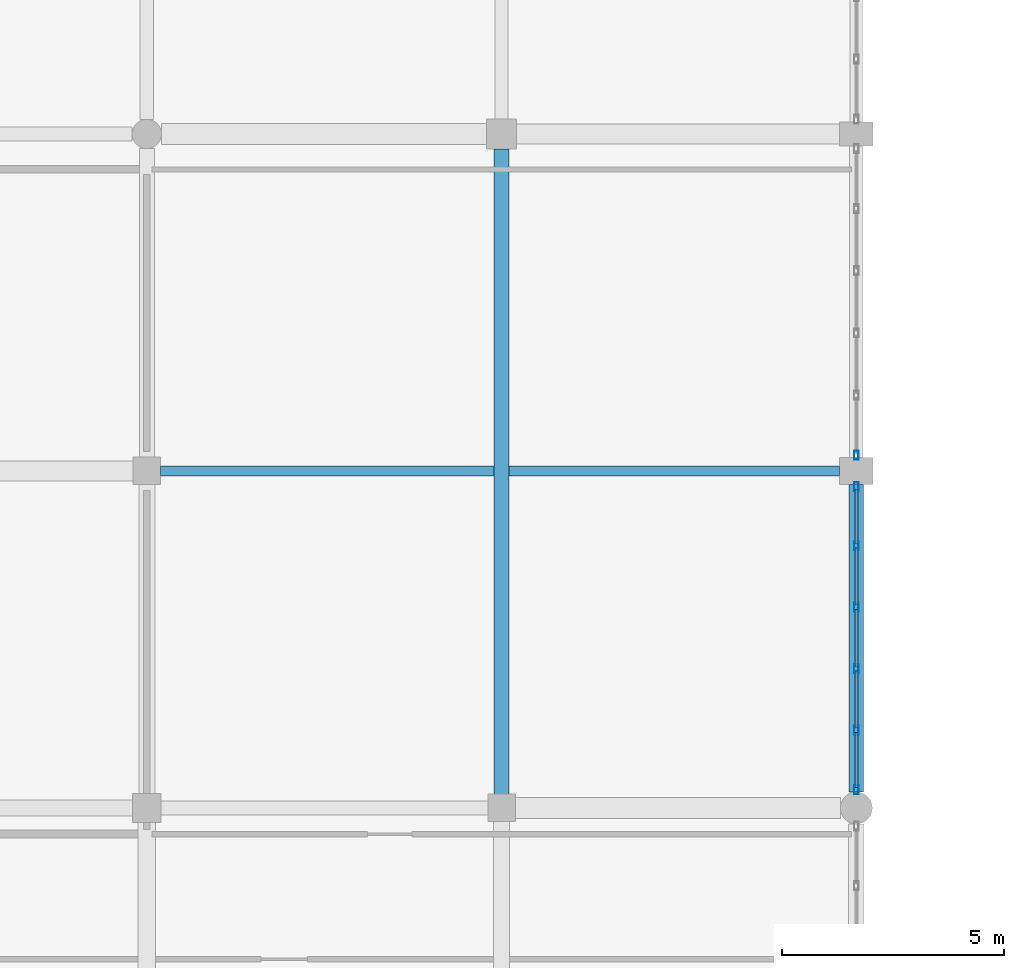
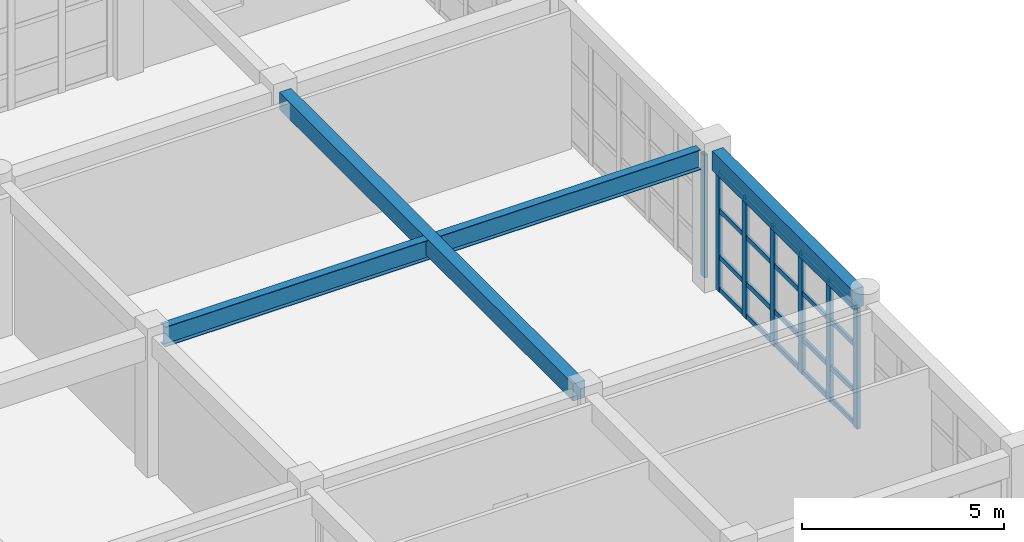
# One storey, part 87 of 160: 27 members, 3 beams, 2 elements without a shape of their own.
"""IFC4 building model written with IfcOpenShell, lengths in metres."""

from ifc_helpers import new_model, si_unit, direction, frame, origin, origin_2d, place, context, subcontext, project, spatial, rectangle, hollow_rectangle, i_section, extrude, material, material_profile, profile_set, type_object, element, aggregate, save


model = new_model("IFC4")

# Units and contexts
model_context = context("Model", 3, precision=1e-05, world=origin(), true_north=direction((0.0, 1.0)))
body_context = subcontext(model_context, "Body", "Model", "MODEL_VIEW")
ifc_project = project(units=[si_unit("LENGTHUNIT", "METRE"), si_unit("AREAUNIT", "SQUARE_METRE"), si_unit("VOLUMEUNIT", "CUBIC_METRE"), si_unit("PLANEANGLEUNIT", "RADIAN"), si_unit("MASSUNIT", "GRAM", prefix="KILO")], contexts=[model_context])

# Site, building, storey
site_placement = place(None, origin())
site = spatial("IfcSite", under=ifc_project, at=site_placement, CompositionType="ELEMENT")
building_placement = place(site_placement, origin())
building = spatial("IfcBuilding", under=site, at=building_placement, Name="Kharva Crest Polytechnic", CompositionType="ELEMENT")
storey_placement = place(building_placement, frame((0.0, 0.0, 4.5)))
storey = spatial("IfcBuildingStorey", under=building, at=storey_placement, Name="L01", CompositionType="ELEMENT", Elevation=4.5)

# Beams
ifc_material_1 = material(Name="Concrete C35/45", Category="concrete")
ifc_material_profile_1 = material_profile(ifc_material_1, rectangle(XDim=0.340087890625, YDim=0.52001953125, at=origin_2d()), Name="RECT 340 X 520")
ifc_profile_set_1 = profile_set([ifc_material_profile_1], Name="Concrete C35/45")
beam_type_1 = type_object("IfcBeamType", Name="BM-RC-340X520", PredefinedType="BEAM", material=ifc_profile_set_1)
beam_1_placement = place(storey_placement, frame((160.800048828125, 7.909912109375, 3.9599609375), z_axis=(0.0, 1.0, 0.0), x_axis=(-1.0, 0.0, 0.0)))
element("IfcBeam", 1, at=beam_1_placement, inside=storey, type_object=beam_type_1, Name="L01 Girder 21/B-D", PredefinedType="BEAM", context=body_context, shape_type="SweptSolid", body=[
    extrude(rectangle(XDim=0.340087890625, YDim=0.52001953125, at=origin_2d()), origin(), (0.0, 0.0, 1.0), 14.550048828125),
])
ifc_material_2 = material(Name="Steel S355", Category="steel")
ifc_material_profile_2 = material_profile(ifc_material_2, i_section(OverallWidth=0.22802734375, OverallDepth=0.60302734375, WebThickness=0.010498046875, FlangeThickness=0.014892578125, at=origin_2d()), Name="W610X101")
ifc_profile_set_2 = profile_set([ifc_material_profile_2], Name="Steel S355")
beam_type_2 = type_object("IfcBeamType", Name="BM-STL-W610X101", PredefinedType="BEAM", material=ifc_profile_set_2)
beam_2_placement = place(storey_placement, frame((153.110107421875, 15.199951171875, 3.91845703125), z_axis=(1.0, 0.0, 0.0), x_axis=(0.0, 1.0, 0.0)))
element("IfcBeam", 2, at=beam_2_placement, inside=storey, type_object=beam_type_2, Name="L01 Beam C/20-22", PredefinedType="BEAM", context=body_context, shape_type="SweptSolid", body=[
    extrude(i_section(OverallWidth=0.22802734375, OverallDepth=0.60302734375, WebThickness=0.010498046875, FlangeThickness=0.014892578125, at=origin_2d()), origin(), (0.0, 0.0, 1.0), 15.31494140625),
])

# Curtain wall, members
ifc_material_3 = material(Name="Tempered insulated glass", Category="glass")
curtain_wall_type = type_object("IfcCurtainWallType", Name="CW-SYS-REFECTORY", PredefinedType="USERDEFINED", material=ifc_material_3)
curtain_wall_1_placement = place(storey_placement, origin())
curtain_wall_1 = element("IfcCurtainWall", 3, at=curtain_wall_1_placement, inside=storey, type_object=curtain_wall_type, Name="L01 Glazed Curtain Wall CW-048", ObjectType="CURTAIN WALL", PredefinedType="USERDEFINED")
ifc_material_profile_3 = material_profile(ifc_material_2, hollow_rectangle(XDim=0.10009765625, YDim=0.199951171875, WallThickness=0.00634765625, at=origin_2d()), Name="RHS 200X100X6.3")
ifc_profile_set_3 = profile_set([ifc_material_profile_3], Name="Steel S355")
member_type_1 = type_object("IfcMemberType", Name="CWM-RHS200X100", PredefinedType="MULLION", material=ifc_profile_set_3)
member_1_placement = place(storey_placement, frame((168.800048828125, 8.014892578125, 0.0), z_axis=(0.0, 0.0, 1.0), x_axis=(-1.0, 0.0, 0.0)))
member_1 = element("IfcMember", 4, at=member_1_placement, type_object=member_type_1, Name="CW-048 mullion 1", PredefinedType="MULLION", context=body_context, shape_type="SweptSolid", body=[
    extrude(hollow_rectangle(XDim=0.10009765625, YDim=0.199951171875, WallThickness=0.00634765625, at=origin_2d()), origin(), (0.0, 0.0, 1.0), 3.639892578125),
])
member_2_placement = place(storey_placement, frame((168.800048828125, 9.35107421875, 0.0), z_axis=(0.0, 0.0, 1.0), x_axis=(-1.0, 0.0, 0.0)))
member_2 = element("IfcMember", 5, at=member_2_placement, type_object=member_type_1, Name="CW-048 mullion 2", PredefinedType="MULLION", context=body_context, shape_type="SweptSolid", body=[
    extrude(hollow_rectangle(XDim=0.10009765625, YDim=0.199951171875, WallThickness=0.00634765625, at=origin_2d()), origin(), (0.0, 0.0, 1.0), 3.639892578125),
])
member_3_placement = place(storey_placement, frame((168.800048828125, 10.737060546875, 0.0), z_axis=(0.0, 0.0, 1.0), x_axis=(-1.0, 0.0, 0.0)))
member_3 = element("IfcMember", 6, at=member_3_placement, type_object=member_type_1, Name="CW-048 mullion 3", PredefinedType="MULLION", context=body_context, shape_type="SweptSolid", body=[
    extrude(hollow_rectangle(XDim=0.10009765625, YDim=0.199951171875, WallThickness=0.00634765625, at=origin_2d()), origin(), (0.0, 0.0, 1.0), 3.639892578125),
])
member_4_placement = place(storey_placement, frame((168.800048828125, 12.123046875, 0.0), z_axis=(0.0, 0.0, 1.0), x_axis=(-1.0, 0.0, 0.0)))
member_4 = element("IfcMember", 7, at=member_4_placement, type_object=member_type_1, Name="CW-048 mullion 4", PredefinedType="MULLION", context=body_context, shape_type="SweptSolid", body=[
    extrude(hollow_rectangle(XDim=0.10009765625, YDim=0.199951171875, WallThickness=0.00634765625, at=origin_2d()), origin(), (0.0, 0.0, 1.0), 3.639892578125),
])
member_5_placement = place(storey_placement, frame((168.800048828125, 13.509033203125, 0.0), z_axis=(0.0, 0.0, 1.0), x_axis=(-1.0, 0.0, 0.0)))
member_5 = element("IfcMember", 8, at=member_5_placement, type_object=member_type_1, Name="CW-048 mullion 5", PredefinedType="MULLION", context=body_context, shape_type="SweptSolid", body=[
    extrude(hollow_rectangle(XDim=0.10009765625, YDim=0.199951171875, WallThickness=0.00634765625, at=origin_2d()), origin(), (0.0, 0.0, 1.0), 3.639892578125),
])
member_6_placement = place(storey_placement, frame((168.800048828125, 14.844970703125, 0.0), z_axis=(0.0, 0.0, 1.0), x_axis=(-1.0, 0.0, 0.0)))
member_6 = element("IfcMember", 9, at=member_6_placement, type_object=member_type_1, Name="CW-048 mullion 6", PredefinedType="MULLION", context=body_context, shape_type="SweptSolid", body=[
    extrude(hollow_rectangle(XDim=0.10009765625, YDim=0.199951171875, WallThickness=0.00634765625, at=origin_2d()), origin(), (0.0, 0.0, 1.0), 3.639892578125),
])

# Curtain wall, member
curtain_wall_2_placement = place(storey_placement, origin())
curtain_wall_2 = element("IfcCurtainWall", 10, at=curtain_wall_2_placement, inside=storey, type_object=curtain_wall_type, Name="L01 Glazed Curtain Wall CW-049", ObjectType="CURTAIN WALL", PredefinedType="USERDEFINED")
member_7_placement = place(storey_placement, frame((168.800048828125, 15.554931640625, 0.0), z_axis=(0.0, 0.0, 1.0), x_axis=(-1.0, 0.0, 0.0)))
member_7 = element("IfcMember", 11, at=member_7_placement, type_object=member_type_1, Name="CW-049 mullion 1", PredefinedType="MULLION", context=body_context, shape_type="SweptSolid", body=[
    extrude(hollow_rectangle(XDim=0.10009765625, YDim=0.199951171875, WallThickness=0.00634765625, at=origin_2d()), origin(), (0.0, 0.0, 1.0), 3.699951171875),
])
aggregate(curtain_wall_2, [member_7])

# Member
ifc_material_profile_4 = material_profile(ifc_material_2, hollow_rectangle(XDim=0.070068359375, YDim=0.139892578125, WallThickness=0.00390625, at=origin_2d()), Name="RHS 140X70X4.0")
ifc_profile_set_4 = profile_set([ifc_material_profile_4], Name="Steel S355")
member_type_2 = type_object("IfcMemberType", Name="CWT-RHS140X70", PredefinedType="USERDEFINED", material=ifc_profile_set_4)
member_8_placement = place(storey_placement, frame((168.800048828125, 8.06494140625, 0.070068359375), z_axis=(0.0, 1.0, 0.0), x_axis=(-1.0, 0.0, 0.0)))
member_8 = element("IfcMember", 12, at=member_8_placement, type_object=member_type_2, Name="CW-048 transom 1.1", ObjectType="TRANSOM", PredefinedType="USERDEFINED", context=body_context, shape_type="SweptSolid", body=[
    extrude(hollow_rectangle(XDim=0.070068359375, YDim=0.139892578125, WallThickness=0.00390625, at=origin_2d()), origin(), (0.0, 0.0, 1.0), 1.236083984375),
])

member_9_placement = place(storey_placement, frame((168.800048828125, 8.06494140625, 1.050048828125), z_axis=(0.0, 1.0, 0.0), x_axis=(-1.0, 0.0, 0.0)))
member_9 = element("IfcMember", 13, at=member_9_placement, type_object=member_type_2, Name="CW-048 transom 1.2", ObjectType="TRANSOM", PredefinedType="USERDEFINED", context=body_context, shape_type="SweptSolid", body=[
    extrude(hollow_rectangle(XDim=0.070068359375, YDim=0.139892578125, WallThickness=0.00390625, at=origin_2d()), origin(), (0.0, 0.0, 1.0), 1.236083984375),
])

member_10_placement = place(storey_placement, frame((168.800048828125, 8.06494140625, 2.449951171875), z_axis=(0.0, 1.0, 0.0), x_axis=(-1.0, 0.0, 0.0)))
member_10 = element("IfcMember", 14, at=member_10_placement, type_object=member_type_2, Name="CW-048 transom 1.3", ObjectType="TRANSOM", PredefinedType="USERDEFINED", context=body_context, shape_type="SweptSolid", body=[
    extrude(hollow_rectangle(XDim=0.070068359375, YDim=0.139892578125, WallThickness=0.00390625, at=origin_2d()), origin(), (0.0, 0.0, 1.0), 1.236083984375),
])

member_11_placement = place(storey_placement, frame((168.800048828125, 8.06494140625, 3.570068359375), z_axis=(0.0, 1.0, 0.0), x_axis=(-1.0, 0.0, 0.0)))
member_11 = element("IfcMember", 15, at=member_11_placement, type_object=member_type_2, Name="CW-048 transom 1.4", ObjectType="TRANSOM", PredefinedType="USERDEFINED", context=body_context, shape_type="SweptSolid", body=[
    extrude(hollow_rectangle(XDim=0.070068359375, YDim=0.139892578125, WallThickness=0.00390625, at=origin_2d()), origin(), (0.0, 0.0, 1.0), 1.236083984375),
])

member_12_placement = place(storey_placement, frame((168.800048828125, 9.40087890625, 0.070068359375), z_axis=(0.0, 1.0, 0.0), x_axis=(-1.0, 0.0, 0.0)))
member_12 = element("IfcMember", 16, at=member_12_placement, type_object=member_type_2, Name="CW-048 transom 2.1", ObjectType="TRANSOM", PredefinedType="USERDEFINED", context=body_context, shape_type="SweptSolid", body=[
    extrude(hollow_rectangle(XDim=0.070068359375, YDim=0.139892578125, WallThickness=0.00390625, at=origin_2d()), origin(), (0.0, 0.0, 1.0), 1.2861328125),
])

member_13_placement = place(storey_placement, frame((168.800048828125, 9.40087890625, 1.050048828125), z_axis=(0.0, 1.0, 0.0), x_axis=(-1.0, 0.0, 0.0)))
member_13 = element("IfcMember", 17, at=member_13_placement, type_object=member_type_2, Name="CW-048 transom 2.2", ObjectType="TRANSOM", PredefinedType="USERDEFINED", context=body_context, shape_type="SweptSolid", body=[
    extrude(hollow_rectangle(XDim=0.070068359375, YDim=0.139892578125, WallThickness=0.00390625, at=origin_2d()), origin(), (0.0, 0.0, 1.0), 1.2861328125),
])

member_14_placement = place(storey_placement, frame((168.800048828125, 9.40087890625, 2.449951171875), z_axis=(0.0, 1.0, 0.0), x_axis=(-1.0, 0.0, 0.0)))
member_14 = element("IfcMember", 18, at=member_14_placement, type_object=member_type_2, Name="CW-048 transom 2.3", ObjectType="TRANSOM", PredefinedType="USERDEFINED", context=body_context, shape_type="SweptSolid", body=[
    extrude(hollow_rectangle(XDim=0.070068359375, YDim=0.139892578125, WallThickness=0.00390625, at=origin_2d()), origin(), (0.0, 0.0, 1.0), 1.2861328125),
])

member_15_placement = place(storey_placement, frame((168.800048828125, 9.40087890625, 3.570068359375), z_axis=(0.0, 1.0, 0.0), x_axis=(-1.0, 0.0, 0.0)))
member_15 = element("IfcMember", 19, at=member_15_placement, type_object=member_type_2, Name="CW-048 transom 2.4", ObjectType="TRANSOM", PredefinedType="USERDEFINED", context=body_context, shape_type="SweptSolid", body=[
    extrude(hollow_rectangle(XDim=0.070068359375, YDim=0.139892578125, WallThickness=0.00390625, at=origin_2d()), origin(), (0.0, 0.0, 1.0), 1.2861328125),
])

member_16_placement = place(storey_placement, frame((168.800048828125, 10.787109375, 0.070068359375), z_axis=(0.0, 1.0, 0.0), x_axis=(-1.0, 0.0, 0.0)))
member_16 = element("IfcMember", 20, at=member_16_placement, type_object=member_type_2, Name="CW-048 transom 3.1", ObjectType="TRANSOM", PredefinedType="USERDEFINED", context=body_context, shape_type="SweptSolid", body=[
    extrude(hollow_rectangle(XDim=0.070068359375, YDim=0.139892578125, WallThickness=0.00390625, at=origin_2d()), origin(), (0.0, 0.0, 1.0), 1.285888671875),
])

member_17_placement = place(storey_placement, frame((168.800048828125, 10.787109375, 1.050048828125), z_axis=(0.0, 1.0, 0.0), x_axis=(-1.0, 0.0, 0.0)))
member_17 = element("IfcMember", 21, at=member_17_placement, type_object=member_type_2, Name="CW-048 transom 3.2", ObjectType="TRANSOM", PredefinedType="USERDEFINED", context=body_context, shape_type="SweptSolid", body=[
    extrude(hollow_rectangle(XDim=0.070068359375, YDim=0.139892578125, WallThickness=0.00390625, at=origin_2d()), origin(), (0.0, 0.0, 1.0), 1.285888671875),
])

member_18_placement = place(storey_placement, frame((168.800048828125, 10.787109375, 2.449951171875), z_axis=(0.0, 1.0, 0.0), x_axis=(-1.0, 0.0, 0.0)))
member_18 = element("IfcMember", 22, at=member_18_placement, type_object=member_type_2, Name="CW-048 transom 3.3", ObjectType="TRANSOM", PredefinedType="USERDEFINED", context=body_context, shape_type="SweptSolid", body=[
    extrude(hollow_rectangle(XDim=0.070068359375, YDim=0.139892578125, WallThickness=0.00390625, at=origin_2d()), origin(), (0.0, 0.0, 1.0), 1.285888671875),
])

member_19_placement = place(storey_placement, frame((168.800048828125, 10.787109375, 3.570068359375), z_axis=(0.0, 1.0, 0.0), x_axis=(-1.0, 0.0, 0.0)))
member_19 = element("IfcMember", 23, at=member_19_placement, type_object=member_type_2, Name="CW-048 transom 3.4", ObjectType="TRANSOM", PredefinedType="USERDEFINED", context=body_context, shape_type="SweptSolid", body=[
    extrude(hollow_rectangle(XDim=0.070068359375, YDim=0.139892578125, WallThickness=0.00390625, at=origin_2d()), origin(), (0.0, 0.0, 1.0), 1.285888671875),
])

member_20_placement = place(storey_placement, frame((168.800048828125, 12.173095703125, 0.070068359375), z_axis=(0.0, 1.0, 0.0), x_axis=(-1.0, 0.0, 0.0)))
member_20 = element("IfcMember", 24, at=member_20_placement, type_object=member_type_2, Name="CW-048 transom 4.1", ObjectType="TRANSOM", PredefinedType="USERDEFINED", context=body_context, shape_type="SweptSolid", body=[
    extrude(hollow_rectangle(XDim=0.070068359375, YDim=0.139892578125, WallThickness=0.00390625, at=origin_2d()), origin(), (0.0, 0.0, 1.0), 1.285888671875),
])

member_21_placement = place(storey_placement, frame((168.800048828125, 12.173095703125, 1.050048828125), z_axis=(0.0, 1.0, 0.0), x_axis=(-1.0, 0.0, 0.0)))
member_21 = element("IfcMember", 25, at=member_21_placement, type_object=member_type_2, Name="CW-048 transom 4.2", ObjectType="TRANSOM", PredefinedType="USERDEFINED", context=body_context, shape_type="SweptSolid", body=[
    extrude(hollow_rectangle(XDim=0.070068359375, YDim=0.139892578125, WallThickness=0.00390625, at=origin_2d()), origin(), (0.0, 0.0, 1.0), 1.285888671875),
])

member_22_placement = place(storey_placement, frame((168.800048828125, 12.173095703125, 2.449951171875), z_axis=(0.0, 1.0, 0.0), x_axis=(-1.0, 0.0, 0.0)))
member_22 = element("IfcMember", 26, at=member_22_placement, type_object=member_type_2, Name="CW-048 transom 4.3", ObjectType="TRANSOM", PredefinedType="USERDEFINED", context=body_context, shape_type="SweptSolid", body=[
    extrude(hollow_rectangle(XDim=0.070068359375, YDim=0.139892578125, WallThickness=0.00390625, at=origin_2d()), origin(), (0.0, 0.0, 1.0), 1.285888671875),
])

member_23_placement = place(storey_placement, frame((168.800048828125, 12.173095703125, 3.570068359375), z_axis=(0.0, 1.0, 0.0), x_axis=(-1.0, 0.0, 0.0)))
member_23 = element("IfcMember", 27, at=member_23_placement, type_object=member_type_2, Name="CW-048 transom 4.4", ObjectType="TRANSOM", PredefinedType="USERDEFINED", context=body_context, shape_type="SweptSolid", body=[
    extrude(hollow_rectangle(XDim=0.070068359375, YDim=0.139892578125, WallThickness=0.00390625, at=origin_2d()), origin(), (0.0, 0.0, 1.0), 1.285888671875),
])

member_24_placement = place(storey_placement, frame((168.800048828125, 13.55908203125, 0.070068359375), z_axis=(0.0, 1.0, 0.0), x_axis=(-1.0, 0.0, 0.0)))
member_24 = element("IfcMember", 28, at=member_24_placement, type_object=member_type_2, Name="CW-048 transom 5.1", ObjectType="TRANSOM", PredefinedType="USERDEFINED", context=body_context, shape_type="SweptSolid", body=[
    extrude(hollow_rectangle(XDim=0.070068359375, YDim=0.139892578125, WallThickness=0.00390625, at=origin_2d()), origin(), (0.0, 0.0, 1.0), 1.23583984375),
])

member_25_placement = place(storey_placement, frame((168.800048828125, 13.55908203125, 1.050048828125), z_axis=(0.0, 1.0, 0.0), x_axis=(-1.0, 0.0, 0.0)))
member_25 = element("IfcMember", 29, at=member_25_placement, type_object=member_type_2, Name="CW-048 transom 5.2", ObjectType="TRANSOM", PredefinedType="USERDEFINED", context=body_context, shape_type="SweptSolid", body=[
    extrude(hollow_rectangle(XDim=0.070068359375, YDim=0.139892578125, WallThickness=0.00390625, at=origin_2d()), origin(), (0.0, 0.0, 1.0), 1.23583984375),
])

member_26_placement = place(storey_placement, frame((168.800048828125, 13.55908203125, 2.449951171875), z_axis=(0.0, 1.0, 0.0), x_axis=(-1.0, 0.0, 0.0)))
member_26 = element("IfcMember", 30, at=member_26_placement, type_object=member_type_2, Name="CW-048 transom 5.3", ObjectType="TRANSOM", PredefinedType="USERDEFINED", context=body_context, shape_type="SweptSolid", body=[
    extrude(hollow_rectangle(XDim=0.070068359375, YDim=0.139892578125, WallThickness=0.00390625, at=origin_2d()), origin(), (0.0, 0.0, 1.0), 1.23583984375),
])

member_27_placement = place(storey_placement, frame((168.800048828125, 13.55908203125, 3.570068359375), z_axis=(0.0, 1.0, 0.0), x_axis=(-1.0, 0.0, 0.0)))
member_27 = element("IfcMember", 31, at=member_27_placement, type_object=member_type_2, Name="CW-048 transom 5.4", ObjectType="TRANSOM", PredefinedType="USERDEFINED", context=body_context, shape_type="SweptSolid", body=[
    extrude(hollow_rectangle(XDim=0.070068359375, YDim=0.139892578125, WallThickness=0.00390625, at=origin_2d()), origin(), (0.0, 0.0, 1.0), 1.23583984375),
])

aggregate(curtain_wall_1, [member_1, member_2, member_3, member_4, member_5, member_6, member_8, member_9, member_10, member_11, member_12, member_13, member_14, member_15, member_16, member_17, member_18, member_19, member_20, member_21, member_22, member_23, member_24, member_25, member_26, member_27])

# Beam
ifc_material_profile_5 = material_profile(ifc_material_1, rectangle(XDim=0.320068359375, YDim=0.580078125, at=origin_2d()), Name="RECT 320 X 580")
ifc_profile_set_5 = profile_set([ifc_material_profile_5], Name="Concrete C35/45")
beam_type_3 = type_object("IfcBeamType", Name="SP-RC-320X580", PredefinedType="SPANDREL", material=ifc_profile_set_5)
beam_3_placement = place(storey_placement, frame((168.800048828125, 7.9599609375, 3.929931640625), z_axis=(0.0, 1.0, 0.0), x_axis=(-1.0, 0.0, 0.0)))
element("IfcBeam", 32, at=beam_3_placement, inside=storey, type_object=beam_type_3, Name="L01 Girder 22/B-C", PredefinedType="SPANDREL", context=body_context, shape_type="SweptSolid", body=[
    extrude(rectangle(XDim=0.320068359375, YDim=0.580078125, at=origin_2d()), origin(), (0.0, 0.0, 1.0), 6.93994140625),
])

save(model, "model.ifc")
